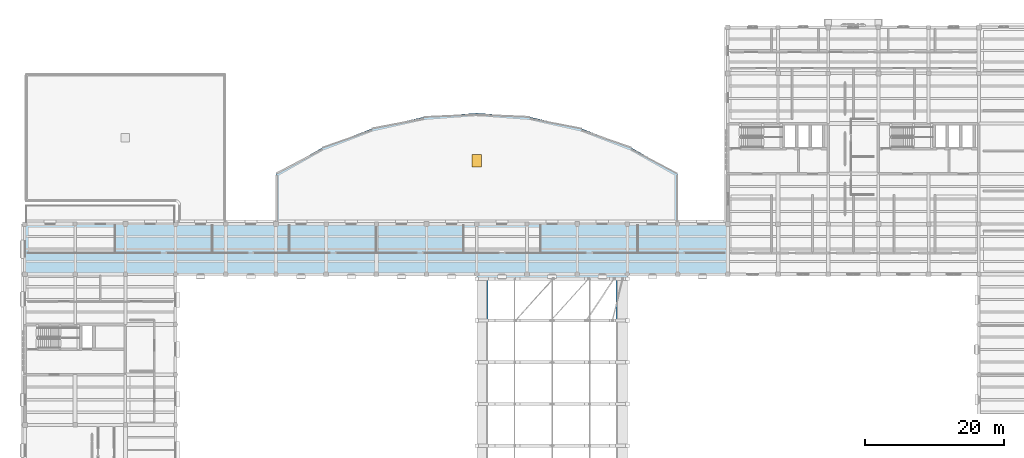
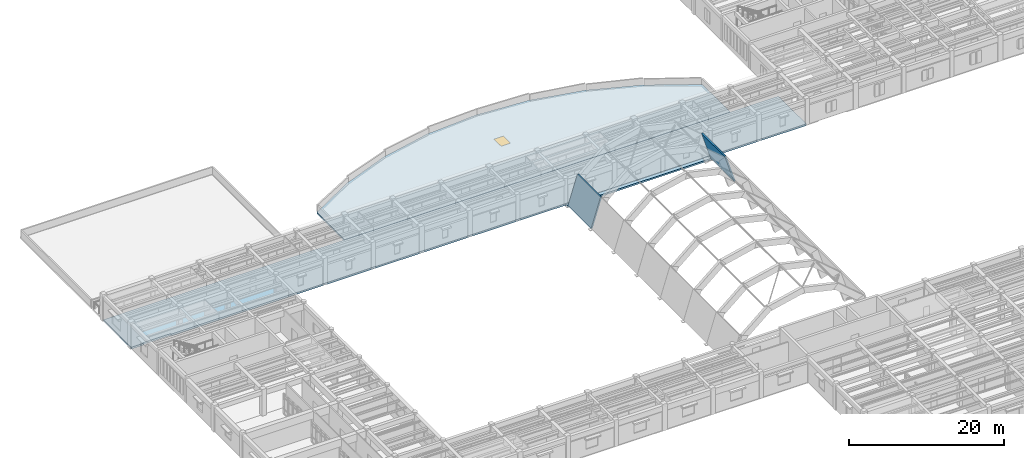
# One storey, part 29 of 66: 5 slabs, 1 window, 1 opening.
"""IFC4 building model written with IfcOpenShell, lengths in metres."""

from ifc_helpers import new_model, si_unit, direction, frame, origin, origin_2d, place, context, subcontext, project, spatial, polyline, rectangle, outline, extrude, material, layer, layer_set, type_object, element, fill, save


model = new_model("IFC4")

# Units and contexts
model_context = context("Model", 3, precision=1e-05, world=origin(), true_north=direction((0.0, 1.0)))
body_context = subcontext(model_context, "Body", "Model", "MODEL_VIEW")
ifc_project = project(units=[si_unit("LENGTHUNIT", "METRE"), si_unit("AREAUNIT", "SQUARE_METRE"), si_unit("VOLUMEUNIT", "CUBIC_METRE"), si_unit("PLANEANGLEUNIT", "RADIAN"), si_unit("MASSUNIT", "GRAM", prefix="KILO")], contexts=[model_context])

# Site, building, storey
site_placement = place(None, origin())
site = spatial("IfcSite", under=ifc_project, at=site_placement, CompositionType="ELEMENT")
building_placement = place(site_placement, origin())
building = spatial("IfcBuilding", under=site, at=building_placement, Name="Mithqara Police Headquarters", CompositionType="ELEMENT")
storey_placement = place(building_placement, frame((0.0, 0.0, 9.60009765625)))
storey = spatial("IfcBuildingStorey", under=building, at=storey_placement, Name="L02", CompositionType="ELEMENT", Elevation=9.60009765625)

# Slab, opening, window
ifc_material_1 = material(Name="Concrete C40/50", Category="concrete")
ifc_layer_1 = layer(ifc_material_1, 0.199951171875, Name="Concrete C40/50")
ifc_layer_set_1 = layer_set([ifc_layer_1], Name="Concrete C40/50")
slab_type_1 = type_object("IfcSlabType", Name="ARCADE VAULT 200", PredefinedType="ROOF", material=ifc_layer_set_1)
slab_1_placement = place(storey_placement, frame((0.0, 0.0, -0.2001953125)))
slab_1 = element("IfcSlab", 1, at=slab_1_placement, inside=storey, type_object=slab_type_1, Name="Swept Forecourt Colonnade Roof Canopy", PredefinedType="ROOF", context=body_context, shape_type="SweptSolid", body=[
    extrude(outline(polyline([(43.800048828125, 93.0), (50.440185546875, 96.74560546875), (57.556884765625, 99.480224609375), (64.99658203125, 101.14501953125), (72.60009765625, 101.703857421875), (80.203369140625, 101.14501953125), (87.643310546875, 99.480224609375), (94.759765625, 96.74560546875), (101.39990234375, 93.0), (101.39990234375, 85.820068359375), (43.800048828125, 85.820068359375), (43.800048828125, 93.0)]), holes=[polyline([(71.89990234375, 93.972900390625), (73.300048828125, 93.972900390625), (73.300048828125, 95.77294921875), (71.89990234375, 95.77294921875), (71.89990234375, 93.972900390625)])]), origin(), (0.0, 0.0, 1.0), 0.2001953125),
])
opening_placement = place(slab_1_placement, frame((72.60009765625, 94.873046875, -0.010009765625)))
opening = element("IfcOpeningElement", 2, at=opening_placement, cuts=slab_1, Name="Opening SK-02", PredefinedType="OPENING", context=body_context, shape_type="SweptSolid", body=[
    extrude(rectangle(XDim=1.39990234375, YDim=1.800048828125, at=origin_2d()), origin(), (0.0, 0.0, 1.0), 0.22021484375),
])
ifc_material_2 = material(Name="Spectrally selective double low-e glass", Category="glass")
window_type = type_object("IfcWindowType", Name="SKYLIGHT 1400X1800", PartitioningType="SINGLE_PANEL", PredefinedType="SKYLIGHT", material=ifc_material_2)
window_placement = place(opening_placement, frame((0.0, 0.0, 0.16015625)))
window = element("IfcWindow", 3, at=window_placement, inside=storey, type_object=window_type, Name="L02 Roof Daylight Skylight and Access Hatch 14", OverallHeight=1.800048828125, OverallWidth=1.39990234375, PartitioningType="SINGLE_PANEL", PredefinedType="SKYLIGHT", context=body_context, shape_type="SweptSolid", body=[
    extrude(rectangle(XDim=1.39990234375, YDim=1.800048828125, at=origin_2d()), origin(), (0.0, 0.0, 1.0), 0.050048828125),
])
fill(opening, window)

# Slabs
ifc_layer_2 = layer(ifc_material_1, 0.280029296875, Name="Concrete C40/50")
ifc_layer_set_2 = layer_set([ifc_layer_2], Name="Concrete C40/50")
slab_type_2 = type_object("IfcSlabType", Name="FLOOR SLAB 280", PredefinedType="FLOOR", material=ifc_layer_set_2)
slab_2_placement = place(storey_placement, frame((0.0, 0.0, -0.280029296875)))
element("IfcSlab", 4, at=slab_2_placement, inside=storey, type_object=slab_type_2, Name="L02 Structural Slab L02-V5N", PredefinedType="FLOOR", context=body_context, shape_type="SweptSolid", body=[
    extrude(outline(polyline([(13.800048828125, 78.60009765625), (13.800048828125, 78.739990234375), (9.60009765625, 78.739990234375), (9.60009765625, 78.60009765625), (7.800048828125, 78.60009765625), (7.800048828125, 85.800048828125), (108.60009765625, 85.800048828125), (108.60009765625, 78.60009765625), (13.800048828125, 78.60009765625)])), origin(), (0.0, 0.0, 1.0), 0.280029296875),
])
ifc_layer_3 = layer(ifc_material_1, 0.25, Name="Concrete C40/50")
ifc_layer_set_3 = layer_set([ifc_layer_3], Name="Concrete C40/50")
slab_type_3 = type_object("IfcSlabType", Name="ROOF SLAB 250", PredefinedType="ROOF", material=ifc_layer_set_3)
slab_3_placement = place(storey_placement, frame((0.0, 0.0, -0.25)))
element("IfcSlab", 5, at=slab_3_placement, inside=storey, type_object=slab_type_3, Name="L02 Flat Insulated Roof over L01 Wing 3", PredefinedType="ROOF", context=body_context, shape_type="SweptSolid", body=[
    extrude(outline(polyline([(72.60009765625, 78.580078125), (94.199951171875, 78.580078125), (94.199951171875, 78.0), (72.60009765625, 78.0), (72.60009765625, 78.580078125)])), origin(), (0.0, 0.0, 1.0), 0.25),
])
ifc_layer_4 = layer(ifc_material_1, 0.219970703125, Name="Concrete C40/50")
ifc_layer_set_4 = layer_set([ifc_layer_4], Name="Concrete C40/50")
slab_type_4 = type_object("IfcSlabType", Name="VAULT SHELL 220", PredefinedType="ROOF", material=ifc_layer_set_4)
for number, where, z_axis, x_axis, name in (
    (6, (72.620361328125, 71.96728515625, 0.064697265625), (-0.953912787202, 0.0, 0.300083978934), (0.300083978934, 0.0, 0.953912787202), "Public Entrance Hall Barrel Vault Shell Strip Bay 7 Facet 1"),
    (7, (92.7734375, 71.96728515625, 4.534912109375), (0.953912787202, 0.0, 0.300083978934), (0.300083978934, 0.0, -0.953912787202), "Public Entrance Hall Barrel Vault Shell Strip Bay 7 Facet 6"),
):
    element("IfcSlab", number, at=place(storey_placement, frame(where, z_axis=z_axis, x_axis=x_axis)), inside=storey, type_object=slab_type_4, Name=name, PredefinedType="ROOF", context=body_context, shape_type="SweptSolid", body=[
        extrude(outline(polyline([(0.0, 0.0), (4.686188196368434, 0.0), (4.686188196368434, 5.979736328125), (0.0, 5.979736328125), (0.0, 0.0)])), origin(), (0.0, 0.0, -1.0), 0.219970703125),
    ])

save(model, "model.ifc")
